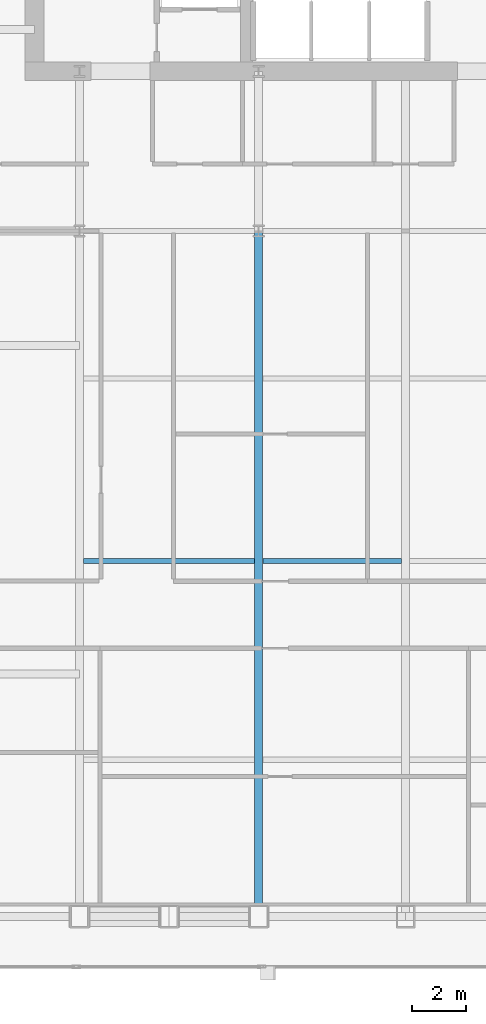
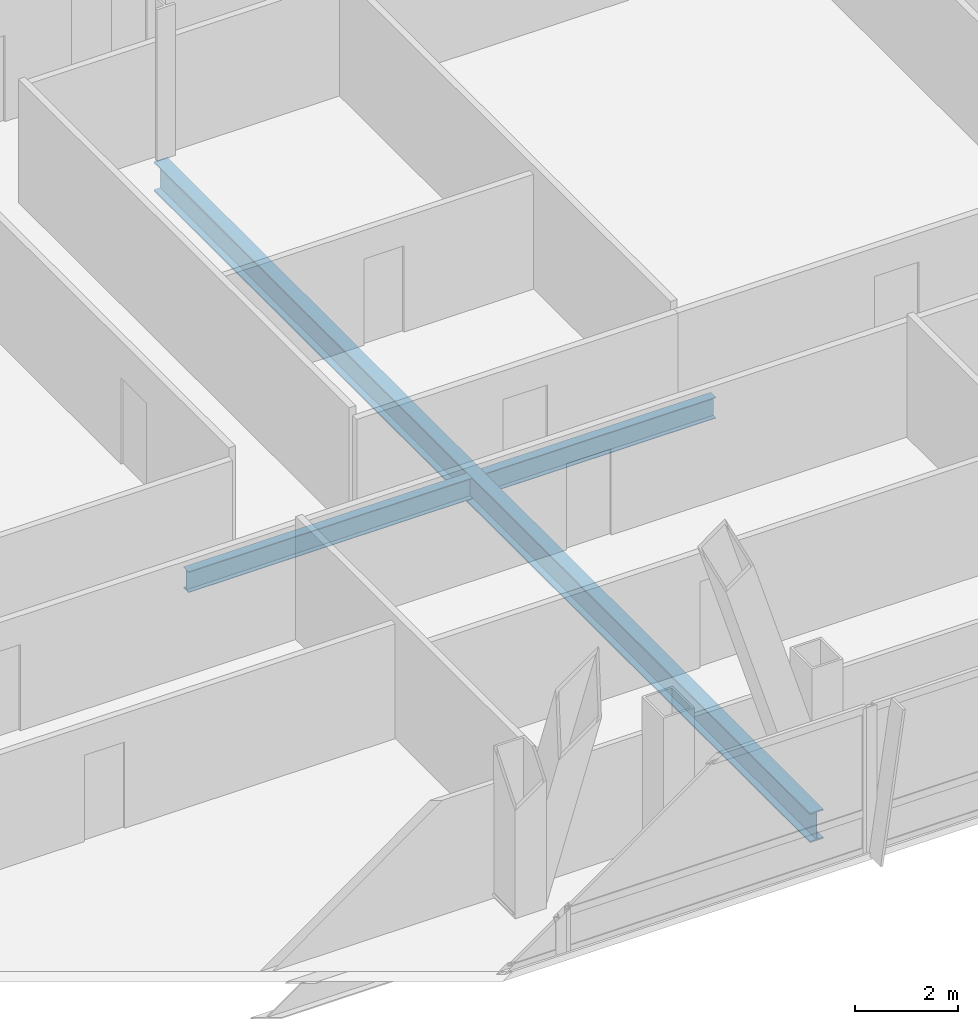
# One storey, part 9 of 30: 3 beams.
"""IFC4 building model written with IfcOpenShell, lengths in metres."""

import ifcopenshell
import ifcopenshell.guid

model = None  # the IFC model being written
_history = None  # IfcOwnerHistory: only IFC2X3 demands one
_inside = {}  # id of a spatial element -> (the spatial element, [elements in it])
_under = {}  # id of a project, library or spatial element -> (it, [spatial elements below it])
_declared = {}  # id of a project -> (the project, [libraries it declares])
_typed = {}  # id of a type object -> (the type object, [elements of that type])
_made_of = {}  # id of a material, layer set ... -> (it, [elements and type objects made of it])


def new_model(schema):
    """Start an empty IFC model of exactly this schema.

    Asked for "IFC4X3", IfcOpenShell would pick the latest addendum, in which some entities
    have other attributes; the version numbers below select the first issue.
    IFC2X3 requires an IfcOwnerHistory on every rooted entity: one is made here for all.
    """
    global model, _history
    if schema == "IFC4X3":
        model = ifcopenshell.file(schema_version=(4, 3, 0, 0))
    else:
        model = ifcopenshell.file(schema=schema)
    _inside.clear()
    _under.clear()
    _declared.clear()
    _typed.clear()
    _made_of.clear()
    _history = None
    if model.schema == "IFC2X3":
        org = make("IfcOrganization", Name="unknown")
        user = make(
            "IfcPersonAndOrganization",
            ThePerson=make("IfcPerson", FamilyName="unknown"),
            TheOrganization=org,
        )
        app = make(
            "IfcApplication",
            ApplicationDeveloper=org,
            Version="unknown",
            ApplicationFullName="unknown",
            ApplicationIdentifier="unknown",
        )
        _history = make(
            "IfcOwnerHistory",
            OwningUser=user,
            OwningApplication=app,
            ChangeAction="ADDED",
            CreationDate=0,
        )
    return model


def make(cls, **values):
    """One entity of the class cls with the attributes given. An attribute that is None is left unset."""
    return model.create_entity(
        cls, **{name: value for name, value in values.items() if value is not None}
    )


def rooted(cls, **values):
    """An entity with a GlobalId (a new one), such as an element, a storey or a relation."""
    return make(cls, GlobalId=ifcopenshell.guid.new(), OwnerHistory=_history, **values)


def si_unit(unit_type, name, prefix=None):
    """IfcSIUnit, for example si_unit("LENGTHUNIT", "METRE", prefix="MILLI")."""
    return make("IfcSIUnit", UnitType=unit_type, Prefix=prefix, Name=name)


def assignment(units):
    """IfcUnitAssignment: the units of a project."""
    return None if units is None else make("IfcUnitAssignment", Units=units)


def point(xyz):
    """IfcCartesianPoint."""
    return None if xyz is None else make("IfcCartesianPoint", Coordinates=xyz)


def direction(xyz):
    """IfcDirection."""
    return None if xyz is None else make("IfcDirection", DirectionRatios=xyz)


def frame(location, z_axis=None, x_axis=None):
    """IfcAxis2Placement3D, a coordinate frame: its origin and axes. An axis left out is left unset."""
    return make(
        "IfcAxis2Placement3D",
        Location=point(location),
        Axis=direction(z_axis),
        RefDirection=direction(x_axis),
    )


def frame_2d(location, x_axis=None):
    """IfcAxis2Placement2D, a coordinate frame in the plane: its origin and x axis."""
    return make(
        "IfcAxis2Placement2D", Location=point(location), RefDirection=direction(x_axis)
    )


def origin():
    """The frame at (0, 0, 0) with its axes left unset."""
    return frame((0.0, 0.0, 0.0))


def origin_2d():
    """The frame at (0, 0) in the plane with its x axis left unset."""
    return frame_2d((0.0, 0.0))


def place(relative_to, where):
    """IfcLocalPlacement: puts the frame where relative to a parent placement (None: the world)."""
    return make(
        "IfcLocalPlacement", PlacementRelTo=relative_to, RelativePlacement=where
    )


def context(
    kind, dimensions, precision=None, world=None, true_north=None, identifier=None
):
    """IfcGeometricRepresentationContext, for example the 3D "Model" context."""
    return make(
        "IfcGeometricRepresentationContext",
        ContextIdentifier=identifier,
        ContextType=kind,
        CoordinateSpaceDimension=dimensions,
        Precision=precision,
        WorldCoordinateSystem=world,
        TrueNorth=true_north,
    )


def subcontext(parent, identifier, kind, view, scale=None):
    """IfcGeometricRepresentationSubContext, for example "Body" below "Model"."""
    return make(
        "IfcGeometricRepresentationSubContext",
        ContextIdentifier=identifier,
        ContextType=kind,
        ParentContext=parent,
        TargetScale=scale,
        TargetView=view,
    )


def project(units=None, contexts=None):
    """IfcProject with its units and contexts."""
    return rooted(
        "IfcProject",
        Name="project",
        RepresentationContexts=contexts,
        UnitsInContext=assignment(units),
    )


def spatial(cls, under=None, at=None, **own):
    """A site, building, storey or space (cls), placed at a placement, below another one or the project."""
    s = rooted(cls, ObjectPlacement=at, **own)
    if under is not None:
        _under.setdefault(under.id(), (under, []))[1].append(s)
    return s


def profile(cls, at=None, kind="AREA", **sizes):
    """A parametric profile (cls). Its sizes go by their IFC names, for example OverallWidth=200.0."""
    return make(cls, ProfileType=kind, Position=at, **sizes)


def i_section(**sizes):
    """IfcIShapeProfileDef."""
    return profile("IfcIShapeProfileDef", **sizes)


def extrude(swept, where, along, depth):
    """IfcExtrudedAreaSolid: the profile swept, set in the frame where, extruded along a direction by depth."""
    return make(
        "IfcExtrudedAreaSolid",
        SweptArea=swept,
        Position=where,
        ExtrudedDirection=direction(along),
        Depth=depth,
    )


def shape(context_of_items, identifier, shape_type, items):
    """IfcShapeRepresentation: the items that make up one representation, for example the "Body"."""
    return make(
        "IfcShapeRepresentation",
        ContextOfItems=context_of_items,
        RepresentationIdentifier=identifier,
        RepresentationType=shape_type,
        Items=items,
    )


def material(Name=None, Category=None):
    """IfcMaterial."""
    return make("IfcMaterial", Name=Name, Category=Category)


def material_profile(
    of_material, cross_section, Name=None, Category=None, Priority=None
):
    """IfcMaterialProfile: a cross section and its material."""
    return make(
        "IfcMaterialProfile",
        Name=Name,
        Material=of_material,
        Profile=cross_section,
        Priority=Priority,
        Category=Category,
    )


def profile_set(profiles, Name=None, composite=None):
    """IfcMaterialProfileSet."""
    return make(
        "IfcMaterialProfileSet",
        Name=Name,
        MaterialProfiles=profiles,
        CompositeProfile=composite,
    )


def made_of(thing, what):
    """Note that an element or type object is made of a material, layer set ...; save() writes the relation."""
    if what is not None:
        _made_of.setdefault(what.id(), (what, []))[1].append(thing)
    return thing


def type_object(cls, material=None, **own):
    """A type object (cls), such as IfcWallType, which elements share."""
    return made_of(rooted(cls, **own), material)


def element(
    cls,
    number,
    at=None,
    inside=None,
    cuts=None,
    type_object=None,
    material=None,
    context=None,
    identifier="Body",
    shape_type=None,
    held_by="IfcProductDefinitionShape",
    body=None,
    shapes=None,
    **own,
):
    """One element of the class cls, such as IfcWall. Its Tag is "e" and its number.

    at: its placement. inside: the storey or other place that contains it. cuts: it is an
    opening in that element (IfcRelVoidsElement). A single representation is given by context,
    identifier, shape_type and body (its items); several are given by shapes. held_by: the class
    of the entity that holds the representations. save() writes the other relations.
    """
    e = rooted(cls, Tag="e%d" % number, ObjectPlacement=at, **own)
    if body is not None:
        shapes = [shape(context, identifier, shape_type, body)]
    if shapes is not None:
        e.Representation = make(held_by, Representations=shapes)
    if inside is not None:
        _inside.setdefault(inside.id(), (inside, []))[1].append(e)
    if cuts is not None:
        rooted(
            "IfcRelVoidsElement", RelatingBuildingElement=cuts, RelatedOpeningElement=e
        )
    if type_object is not None:
        _typed.setdefault(type_object.id(), (type_object, []))[1].append(e)
    return made_of(e, material)


def aggregate(whole, parts):
    """IfcRelAggregates: a whole, such as a stair, and the parts it consists of."""
    return rooted("IfcRelAggregates", RelatingObject=whole, RelatedObjects=parts)


def save(model, path):
    """Write the relations noted so far, then the file.

    IfcRelAggregates (storeys below a building ...), IfcRelContainedInSpatialStructure (elements
    in a storey), IfcRelDefinesByType, IfcRelAssociatesMaterial and IfcRelDeclares: one each for
    every whole, place, type object, material and project.
    """
    for whole, parts in _under.values():
        aggregate(whole, parts)
    for where, things in _inside.values():
        rooted(
            "IfcRelContainedInSpatialStructure",
            RelatedElements=things,
            RelatingStructure=where,
        )
    for kind, things in _typed.values():
        rooted("IfcRelDefinesByType", RelatedObjects=things, RelatingType=kind)
    for what, things in _made_of.values():
        rooted("IfcRelAssociatesMaterial", RelatedObjects=things, RelatingMaterial=what)
    for by, libraries in _declared.values():
        rooted("IfcRelDeclares", RelatingContext=by, RelatedDefinitions=libraries)
    model.write(path)


model = new_model("IFC4")

# Units and contexts
model_context = context("Model", 3, precision=1e-05, world=origin(), true_north=direction((0.0, 1.0)))
body_context = subcontext(model_context, "Body", "Model", "MODEL_VIEW")
ifc_project = project(units=[si_unit("LENGTHUNIT", "METRE"), si_unit("AREAUNIT", "SQUARE_METRE"), si_unit("VOLUMEUNIT", "CUBIC_METRE"), si_unit("PLANEANGLEUNIT", "RADIAN"), si_unit("MASSUNIT", "GRAM", prefix="KILO")], contexts=[model_context])

# Site, building, storey
site_placement = place(None, origin())
site = spatial("IfcSite", under=ifc_project, at=site_placement, CompositionType="ELEMENT")
building_placement = place(site_placement, origin())
building = spatial("IfcBuilding", under=site, at=building_placement, Name="Khoronbel Lancet Exchange", CompositionType="ELEMENT")
storey_placement = place(building_placement, frame((0.0, 0.0, 157.800048828125)))
storey = spatial("IfcBuildingStorey", under=building, at=storey_placement, Name="L39", CompositionType="ELEMENT", Elevation=157.800048828125)

# Beams
ifc_material = material(Name="Steel S355", Category="steel")
ifc_material_profile_1 = material_profile(ifc_material, i_section(OverallWidth=0.300048828125, OverallDepth=0.699951171875, WebThickness=0.01708984375, FlangeThickness=0.031982421875, at=origin_2d()), Name="HEB 700")
ifc_profile_set_1 = profile_set([ifc_material_profile_1], Name="Steel S355")
beam_type_1 = type_object("IfcBeamType", Name="BM-BG3", PredefinedType="BEAM", material=ifc_profile_set_1)
beam_1_placement = place(storey_placement, frame((24.89990234375, 10.14990234375, -0.510009765625), z_axis=(0.0, 1.0, 0.0), x_axis=(-1.0, 0.0, 0.0)))
element("IfcBeam", 1, at=beam_1_placement, inside=storey, type_object=beam_type_1, Name="Level L39 south primary girder GS2", PredefinedType="BEAM", context=body_context, shape_type="SweptSolid", body=[
    extrude(i_section(OverallWidth=0.300048828125, OverallDepth=0.699951171875, WebThickness=0.01708984375, FlangeThickness=0.031982421875, at=origin_2d()), origin(), (0.0, 0.0, 1.0), 25.550048828125),
])
ifc_material_profile_2 = material_profile(ifc_material, i_section(OverallWidth=0.199951171875, OverallDepth=0.5, WebThickness=0.01025390625, FlangeThickness=0.01611328125, at=origin_2d()), Name="IPE 500")
ifc_profile_set_2 = profile_set([ifc_material_profile_2], Name="Steel S355")
beam_type_2 = type_object("IfcBeamType", Name="BM-BJ3", PredefinedType="JOIST", material=ifc_profile_set_2)
beam_2_placement = place(storey_placement, frame((18.375, 23.39990234375, -0.41015625), z_axis=(1.0, 0.0, 0.0), x_axis=(0.0, 1.0, 0.0)))
element("IfcBeam", 2, at=beam_2_placement, inside=storey, type_object=beam_type_2, Name="Level L39 secondary composite joist J06", PredefinedType="JOIST", context=body_context, shape_type="SweptSolid", body=[
    extrude(i_section(OverallWidth=0.199951171875, OverallDepth=0.5, WebThickness=0.01025390625, FlangeThickness=0.01611328125, at=origin_2d()), origin(), (0.0, 0.0, 1.0), 6.375),
])
beam_3_placement = place(storey_placement, frame((25.050048828125, 23.39990234375, -0.41015625), z_axis=(1.0, 0.0, 0.0), x_axis=(0.0, 1.0, 0.0)))
element("IfcBeam", 3, at=beam_3_placement, inside=storey, type_object=beam_type_2, Name="Level L39 secondary composite joist J07", PredefinedType="JOIST", context=body_context, shape_type="SweptSolid", body=[
    extrude(i_section(OverallWidth=0.199951171875, OverallDepth=0.5, WebThickness=0.01025390625, FlangeThickness=0.01611328125, at=origin_2d()), origin(), (0.0, 0.0, 1.0), 5.175048828125),
])

save(model, "model.ifc")
